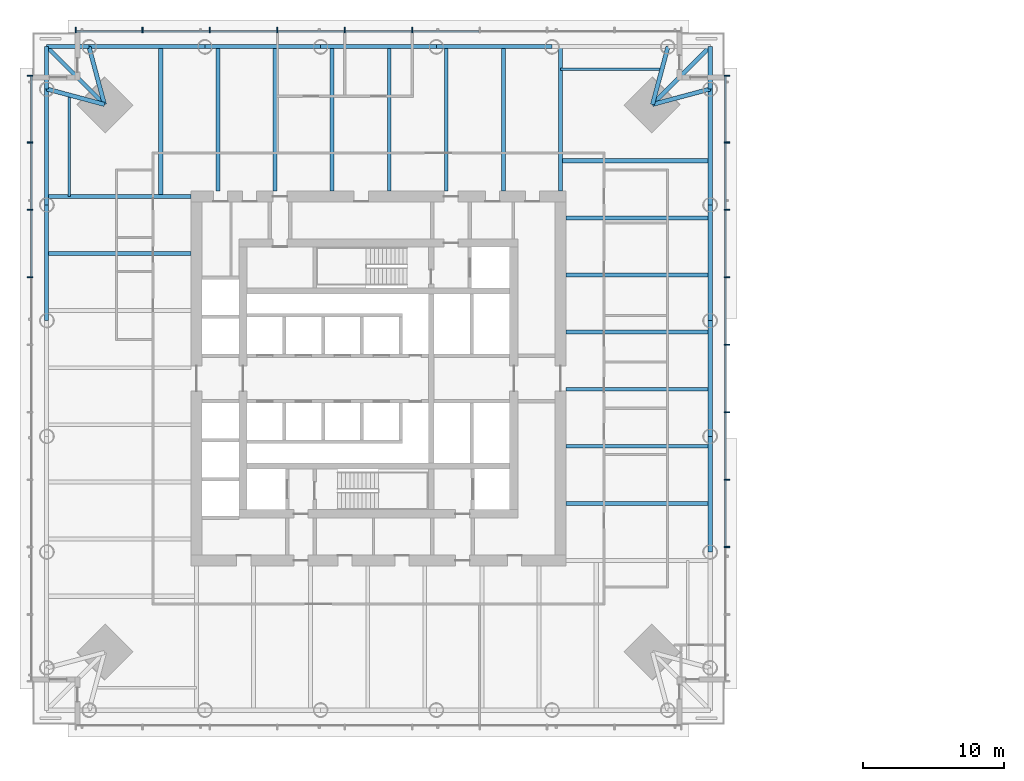
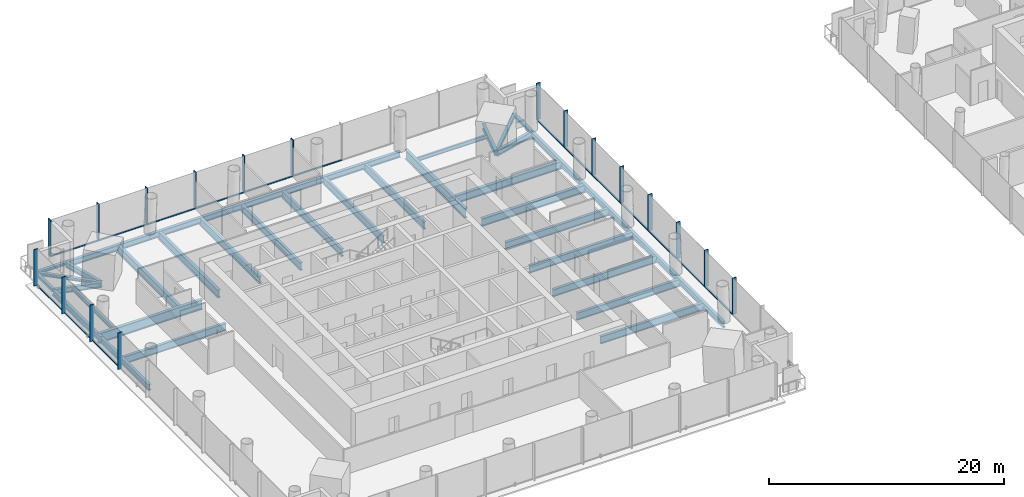
# One storey, part 3 of 26: 38 beams, 34 members, 3 elements without a shape of their own.
"""IFC4 building model written with IfcOpenShell, lengths in metres."""

import ifcopenshell
import ifcopenshell.guid

model = None  # the IFC model being written
_history = None  # IfcOwnerHistory: only IFC2X3 demands one
_inside = {}  # id of a spatial element -> (the spatial element, [elements in it])
_under = {}  # id of a project, library or spatial element -> (it, [spatial elements below it])
_declared = {}  # id of a project -> (the project, [libraries it declares])
_typed = {}  # id of a type object -> (the type object, [elements of that type])
_made_of = {}  # id of a material, layer set ... -> (it, [elements and type objects made of it])


def new_model(schema):
    """Start an empty IFC model of exactly this schema.

    Asked for "IFC4X3", IfcOpenShell would pick the latest addendum, in which some entities
    have other attributes; the version numbers below select the first issue.
    IFC2X3 requires an IfcOwnerHistory on every rooted entity: one is made here for all.
    """
    global model, _history
    if schema == "IFC4X3":
        model = ifcopenshell.file(schema_version=(4, 3, 0, 0))
    else:
        model = ifcopenshell.file(schema=schema)
    _inside.clear()
    _under.clear()
    _declared.clear()
    _typed.clear()
    _made_of.clear()
    _history = None
    if model.schema == "IFC2X3":
        org = make("IfcOrganization", Name="unknown")
        user = make(
            "IfcPersonAndOrganization",
            ThePerson=make("IfcPerson", FamilyName="unknown"),
            TheOrganization=org,
        )
        app = make(
            "IfcApplication",
            ApplicationDeveloper=org,
            Version="unknown",
            ApplicationFullName="unknown",
            ApplicationIdentifier="unknown",
        )
        _history = make(
            "IfcOwnerHistory",
            OwningUser=user,
            OwningApplication=app,
            ChangeAction="ADDED",
            CreationDate=0,
        )
    return model


def make(cls, **values):
    """One entity of the class cls with the attributes given. An attribute that is None is left unset."""
    return model.create_entity(
        cls, **{name: value for name, value in values.items() if value is not None}
    )


def rooted(cls, **values):
    """An entity with a GlobalId (a new one), such as an element, a storey or a relation."""
    return make(cls, GlobalId=ifcopenshell.guid.new(), OwnerHistory=_history, **values)


def si_unit(unit_type, name, prefix=None):
    """IfcSIUnit, for example si_unit("LENGTHUNIT", "METRE", prefix="MILLI")."""
    return make("IfcSIUnit", UnitType=unit_type, Prefix=prefix, Name=name)


def assignment(units):
    """IfcUnitAssignment: the units of a project."""
    return None if units is None else make("IfcUnitAssignment", Units=units)


def point(xyz):
    """IfcCartesianPoint."""
    return None if xyz is None else make("IfcCartesianPoint", Coordinates=xyz)


def direction(xyz):
    """IfcDirection."""
    return None if xyz is None else make("IfcDirection", DirectionRatios=xyz)


def frame(location, z_axis=None, x_axis=None):
    """IfcAxis2Placement3D, a coordinate frame: its origin and axes. An axis left out is left unset."""
    return make(
        "IfcAxis2Placement3D",
        Location=point(location),
        Axis=direction(z_axis),
        RefDirection=direction(x_axis),
    )


def frame_2d(location, x_axis=None):
    """IfcAxis2Placement2D, a coordinate frame in the plane: its origin and x axis."""
    return make(
        "IfcAxis2Placement2D", Location=point(location), RefDirection=direction(x_axis)
    )


def origin():
    """The frame at (0, 0, 0) with its axes left unset."""
    return frame((0.0, 0.0, 0.0))


def origin_2d():
    """The frame at (0, 0) in the plane with its x axis left unset."""
    return frame_2d((0.0, 0.0))


def place(relative_to, where):
    """IfcLocalPlacement: puts the frame where relative to a parent placement (None: the world)."""
    return make(
        "IfcLocalPlacement", PlacementRelTo=relative_to, RelativePlacement=where
    )


def context(
    kind, dimensions, precision=None, world=None, true_north=None, identifier=None
):
    """IfcGeometricRepresentationContext, for example the 3D "Model" context."""
    return make(
        "IfcGeometricRepresentationContext",
        ContextIdentifier=identifier,
        ContextType=kind,
        CoordinateSpaceDimension=dimensions,
        Precision=precision,
        WorldCoordinateSystem=world,
        TrueNorth=true_north,
    )


def subcontext(parent, identifier, kind, view, scale=None):
    """IfcGeometricRepresentationSubContext, for example "Body" below "Model"."""
    return make(
        "IfcGeometricRepresentationSubContext",
        ContextIdentifier=identifier,
        ContextType=kind,
        ParentContext=parent,
        TargetScale=scale,
        TargetView=view,
    )


def project(units=None, contexts=None):
    """IfcProject with its units and contexts."""
    return rooted(
        "IfcProject",
        Name="project",
        RepresentationContexts=contexts,
        UnitsInContext=assignment(units),
    )


def spatial(cls, under=None, at=None, **own):
    """A site, building, storey or space (cls), placed at a placement, below another one or the project."""
    s = rooted(cls, ObjectPlacement=at, **own)
    if under is not None:
        _under.setdefault(under.id(), (under, []))[1].append(s)
    return s


def profile(cls, at=None, kind="AREA", **sizes):
    """A parametric profile (cls). Its sizes go by their IFC names, for example OverallWidth=200.0."""
    return make(cls, ProfileType=kind, Position=at, **sizes)


def rectangle(**sizes):
    """IfcRectangleProfileDef."""
    return profile("IfcRectangleProfileDef", **sizes)


def i_section(**sizes):
    """IfcIShapeProfileDef."""
    return profile("IfcIShapeProfileDef", **sizes)


def extrude(swept, where, along, depth):
    """IfcExtrudedAreaSolid: the profile swept, set in the frame where, extruded along a direction by depth."""
    return make(
        "IfcExtrudedAreaSolid",
        SweptArea=swept,
        Position=where,
        ExtrudedDirection=direction(along),
        Depth=depth,
    )


def shape(context_of_items, identifier, shape_type, items):
    """IfcShapeRepresentation: the items that make up one representation, for example the "Body"."""
    return make(
        "IfcShapeRepresentation",
        ContextOfItems=context_of_items,
        RepresentationIdentifier=identifier,
        RepresentationType=shape_type,
        Items=items,
    )


def material(Name=None, Category=None):
    """IfcMaterial."""
    return make("IfcMaterial", Name=Name, Category=Category)


def material_profile(
    of_material, cross_section, Name=None, Category=None, Priority=None
):
    """IfcMaterialProfile: a cross section and its material."""
    return make(
        "IfcMaterialProfile",
        Name=Name,
        Material=of_material,
        Profile=cross_section,
        Priority=Priority,
        Category=Category,
    )


def profile_set(profiles, Name=None, composite=None):
    """IfcMaterialProfileSet."""
    return make(
        "IfcMaterialProfileSet",
        Name=Name,
        MaterialProfiles=profiles,
        CompositeProfile=composite,
    )


def made_of(thing, what):
    """Note that an element or type object is made of a material, layer set ...; save() writes the relation."""
    if what is not None:
        _made_of.setdefault(what.id(), (what, []))[1].append(thing)
    return thing


def type_object(cls, material=None, **own):
    """A type object (cls), such as IfcWallType, which elements share."""
    return made_of(rooted(cls, **own), material)


def element(
    cls,
    number,
    at=None,
    inside=None,
    cuts=None,
    type_object=None,
    material=None,
    context=None,
    identifier="Body",
    shape_type=None,
    held_by="IfcProductDefinitionShape",
    body=None,
    shapes=None,
    **own,
):
    """One element of the class cls, such as IfcWall. Its Tag is "e" and its number.

    at: its placement. inside: the storey or other place that contains it. cuts: it is an
    opening in that element (IfcRelVoidsElement). A single representation is given by context,
    identifier, shape_type and body (its items); several are given by shapes. held_by: the class
    of the entity that holds the representations. save() writes the other relations.
    """
    e = rooted(cls, Tag="e%d" % number, ObjectPlacement=at, **own)
    if body is not None:
        shapes = [shape(context, identifier, shape_type, body)]
    if shapes is not None:
        e.Representation = make(held_by, Representations=shapes)
    if inside is not None:
        _inside.setdefault(inside.id(), (inside, []))[1].append(e)
    if cuts is not None:
        rooted(
            "IfcRelVoidsElement", RelatingBuildingElement=cuts, RelatedOpeningElement=e
        )
    if type_object is not None:
        _typed.setdefault(type_object.id(), (type_object, []))[1].append(e)
    return made_of(e, material)


def aggregate(whole, parts):
    """IfcRelAggregates: a whole, such as a stair, and the parts it consists of."""
    return rooted("IfcRelAggregates", RelatingObject=whole, RelatedObjects=parts)


def save(model, path):
    """Write the relations noted so far, then the file.

    IfcRelAggregates (storeys below a building ...), IfcRelContainedInSpatialStructure (elements
    in a storey), IfcRelDefinesByType, IfcRelAssociatesMaterial and IfcRelDeclares: one each for
    every whole, place, type object, material and project.
    """
    for whole, parts in _under.values():
        aggregate(whole, parts)
    for where, things in _inside.values():
        rooted(
            "IfcRelContainedInSpatialStructure",
            RelatedElements=things,
            RelatingStructure=where,
        )
    for kind, things in _typed.values():
        rooted("IfcRelDefinesByType", RelatedObjects=things, RelatingType=kind)
    for what, things in _made_of.values():
        rooted("IfcRelAssociatesMaterial", RelatedObjects=things, RelatingMaterial=what)
    for by, libraries in _declared.values():
        rooted("IfcRelDeclares", RelatingContext=by, RelatedDefinitions=libraries)
    model.write(path)


model = new_model("IFC4")

# Units and contexts
model_context = context("Model", 3, precision=1e-05, world=origin(), true_north=direction((0.0, 1.0)))
body_context = subcontext(model_context, "Body", "Model", "MODEL_VIEW")
ifc_project = project(units=[si_unit("LENGTHUNIT", "METRE"), si_unit("AREAUNIT", "SQUARE_METRE"), si_unit("VOLUMEUNIT", "CUBIC_METRE"), si_unit("PLANEANGLEUNIT", "RADIAN"), si_unit("MASSUNIT", "GRAM", prefix="KILO")], contexts=[model_context])

# Site, building, storey
site_placement = place(None, origin())
site = spatial("IfcSite", under=ifc_project, at=site_placement, CompositionType="ELEMENT")
building_placement = place(site_placement, origin())
building = spatial("IfcBuilding", under=site, at=building_placement, Name="Ostroluk Exchange", CompositionType="ELEMENT")
storey_placement = place(building_placement, frame((0.0, 0.0, 36.199951171875)))
storey = spatial("IfcBuildingStorey", under=building, at=storey_placement, Name="L08", CompositionType="ELEMENT", Elevation=36.199951171875)

# Beams
ifc_material_1 = material(Name="Steel S355", Category="steel")
ifc_material_profile_1 = material_profile(ifc_material_1, i_section(OverallWidth=0.300048828125, OverallDepth=0.300048828125, WebThickness=0.010986328125, FlangeThickness=0.01904296875, FilletRadius=0.027099609375, at=origin_2d()), Name="HEB 300")
ifc_profile_set_1 = profile_set([ifc_material_profile_1], Name="Steel S355")
beam_type_1 = type_object("IfcBeamType", Name="Balcony beam HEB 300", PredefinedType="BEAM", material=ifc_profile_set_1)
beam_1_placement = place(storey_placement, frame((68.514404296875, 66.514404296875, -0.329833984375), z_axis=(0.0, 1.0, 0.0), x_axis=(-1.0, 0.0, 0.0)))
element("IfcBeam", 1, at=beam_1_placement, inside=storey, type_object=beam_type_1, Name="T1 east balcony beam a", PredefinedType="BEAM", context=body_context, shape_type="SweptSolid", body=[
    extrude(i_section(OverallWidth=0.300048828125, OverallDepth=0.300048828125, WebThickness=0.010986328125, FlangeThickness=0.01904296875, FilletRadius=0.027099609375, at=origin_2d()), origin(), (0.0, 0.0, 1.0), 3.0),
])
beam_2_placement = place(storey_placement, frame((64.414306640625, 65.414306640625, -0.329833984375), z_axis=(0.707106781187, 0.707106781187, 0.0), x_axis=(-0.707106781187, 0.707106781187, 0.0)))
element("IfcBeam", 2, at=beam_2_placement, inside=storey, type_object=beam_type_1, Name="T1 east balcony beam c", PredefinedType="BEAM", context=body_context, shape_type="SweptSolid", body=[
    extrude(i_section(OverallWidth=0.300048828125, OverallDepth=0.300048828125, WebThickness=0.010986328125, FlangeThickness=0.01904296875, FilletRadius=0.027099609375, at=origin_2d()), origin(), (0.0, 0.0, 1.0), 5.79833984375),
])
for number, where, z_axis, x_axis, name in (
    (3, (24.485595703125, 69.514404296875, -0.329833984375), (-1.0, 0.0, 0.0), (0.0, -1.0, 0.0), "T1 north balcony beam a"),
    (4, (21.485595703125, 66.514404296875, -0.329833984375), (0.0, 1.0, 0.0), (-1.0, 0.0, 0.0), "T1 north balcony beam b"),
):
    element("IfcBeam", number, at=place(storey_placement, frame(where, z_axis=z_axis, x_axis=x_axis)), inside=storey, type_object=beam_type_1, Name=name, PredefinedType="BEAM", context=body_context, shape_type="SweptSolid", body=[
        extrude(i_section(OverallWidth=0.300048828125, OverallDepth=0.300048828125, WebThickness=0.010986328125, FlangeThickness=0.01904296875, FilletRadius=0.027099609375, at=origin_2d()), origin(), (0.0, 0.0, 1.0), 3.0),
    ])
beam_3_placement = place(storey_placement, frame((25.585693359375, 65.414306640625, -0.329833984375), z_axis=(-0.707106781187, 0.707106781187, 0.0), x_axis=(-0.707106781187, -0.707106781187, 0.0)))
element("IfcBeam", 5, at=beam_3_placement, inside=storey, type_object=beam_type_1, Name="T1 north balcony beam c", PredefinedType="BEAM", context=body_context, shape_type="SweptSolid", body=[
    extrude(i_section(OverallWidth=0.300048828125, OverallDepth=0.300048828125, WebThickness=0.010986328125, FlangeThickness=0.01904296875, FilletRadius=0.027099609375, at=origin_2d()), origin(), (0.0, 0.0, 1.0), 5.79833984375),
])
ifc_material_2 = material(Name="Steel S355", Category="steel")
ifc_material_profile_2 = material_profile(ifc_material_2, i_section(OverallWidth=0.300048828125, OverallDepth=0.550048828125, WebThickness=0.014892578125, FlangeThickness=0.029052734375, FilletRadius=0.027099609375, at=origin_2d()), Name="HEB 550")
ifc_profile_set_2 = profile_set([ifc_material_profile_2], Name="Steel S355")
beam_type_2 = type_object("IfcBeamType", Name="Corner edge beam HEB 550", PredefinedType="SPANDREL", material=ifc_profile_set_2)
for number, where, z_axis, x_axis, name in (
    (6, (64.414306640625, 65.414306640625, -0.454833984375), (0.965838624319, 0.259144268261, 0.0), (-0.259144268261, 0.965838624319, 0.0), "T1 east corner edge beam a"),
    (7, (64.414306640625, 65.414306640625, -0.454833984375), (0.259144268261, 0.965838624319, 0.0), (-0.965838624319, 0.259144268261, 0.0), "T1 east corner edge beam b"),
    (8, (25.585693359375, 65.414306640625, -0.454833984375), (-0.259144268261, 0.965838624319, 0.0), (-0.965838624319, -0.259144268261, 0.0), "T1 north corner edge beam a"),
    (9, (25.585693359375, 65.414306640625, -0.454833984375), (-0.965838624319, 0.259144268261, 0.0), (-0.259144268261, -0.965838624319, 0.0), "T1 north corner edge beam b"),
):
    element("IfcBeam", number, at=place(storey_placement, frame(where, z_axis=z_axis, x_axis=x_axis)), inside=storey, type_object=beam_type_2, Name=name, PredefinedType="SPANDREL", context=body_context, shape_type="SweptSolid", body=[
        extrude(i_section(OverallWidth=0.300048828125, OverallDepth=0.550048828125, WebThickness=0.014892578125, FlangeThickness=0.029052734375, FilletRadius=0.027099609375, at=origin_2d()), origin(), (0.0, 0.0, 1.0), 4.2451171875),
    ])
ifc_material_3 = material(Name="Steel S355", Category="steel")
ifc_material_profile_3 = material_profile(ifc_material_3, i_section(OverallWidth=0.302978515625, OverallDepth=0.81396484375, WebThickness=0.02099609375, FlangeThickness=0.0400390625, FilletRadius=0.030029296875, at=origin_2d()), Name="HEM 800")
ifc_profile_set_3 = profile_set([ifc_material_profile_3], Name="Steel S355")
beam_type_3 = type_object("IfcBeamType", Name="Floor beam HEM 800", PredefinedType="BEAM", material=ifc_profile_set_3)
beam_4_placement = place(storey_placement, frame((58.300048828125, 57.376220703125, -0.5869140625), z_axis=(1.0, 0.0, 0.0), x_axis=(0.0, 1.0, 0.0)))
element("IfcBeam", 10, at=beam_4_placement, inside=storey, type_object=beam_type_3, Name="T1 east floor beam 6", PredefinedType="BEAM", context=body_context, shape_type="SweptSolid", body=[
    extrude(i_section(OverallWidth=0.302978515625, OverallDepth=0.81396484375, WebThickness=0.02099609375, FlangeThickness=0.0400390625, FilletRadius=0.030029296875, at=origin_2d()), origin(), (0.0, 0.0, 1.0), 10.21435546875),
])
beam_5_placement = place(storey_placement, frame((57.89990234375, 61.422119140625, -0.5869140625), z_axis=(1.0, 0.0, 0.0), x_axis=(0.0, 1.0, 0.0)))
element("IfcBeam", 11, at=beam_5_placement, inside=storey, type_object=beam_type_3, Name="T1 east floor beam 7", PredefinedType="BEAM", context=body_context, shape_type="SweptSolid", body=[
    extrude(i_section(OverallWidth=0.302978515625, OverallDepth=0.81396484375, WebThickness=0.02099609375, FlangeThickness=0.0400390625, FilletRadius=0.030029296875, at=origin_2d()), origin(), (0.0, 0.0, 1.0), 10.614501953125),
])
beam_6_placement = place(storey_placement, frame((33.623779296875, 59.300048828125, -0.5869140625), z_axis=(0.0, 1.0, 0.0), x_axis=(-1.0, 0.0, 0.0)))
element("IfcBeam", 12, at=beam_6_placement, inside=storey, type_object=beam_type_3, Name="T1 north floor beam 6", PredefinedType="BEAM", context=body_context, shape_type="SweptSolid", body=[
    extrude(i_section(OverallWidth=0.302978515625, OverallDepth=0.81396484375, WebThickness=0.02099609375, FlangeThickness=0.0400390625, FilletRadius=0.030029296875, at=origin_2d()), origin(), (0.0, 0.0, 1.0), 10.21435546875),
])
beam_7_placement = place(storey_placement, frame((29.577880859375, 58.89990234375, -0.5869140625), z_axis=(0.0, 1.0, 0.0), x_axis=(-1.0, 0.0, 0.0)))
element("IfcBeam", 13, at=beam_7_placement, inside=storey, type_object=beam_type_3, Name="T1 north floor beam 7", PredefinedType="BEAM", context=body_context, shape_type="SweptSolid", body=[
    extrude(i_section(OverallWidth=0.302978515625, OverallDepth=0.81396484375, WebThickness=0.02099609375, FlangeThickness=0.0400390625, FilletRadius=0.030029296875, at=origin_2d()), origin(), (0.0, 0.0, 1.0), 10.614501953125),
])
ifc_material_4 = material(Name="Steel S355", Category="steel")
ifc_material_profile_4 = material_profile(ifc_material_4, i_section(OverallWidth=0.179931640625, OverallDepth=0.39990234375, WebThickness=0.008544921875, FlangeThickness=0.013427734375, FilletRadius=0.02099609375, at=origin_2d()), Name="IPE 400")
ifc_profile_set_4 = profile_set([ifc_material_profile_4], Name="Steel S355")
beam_type_4 = type_object("IfcBeamType", Name="Floor beam IPE 400", PredefinedType="BEAM", material=ifc_profile_set_4)
for number, where, z_axis, x_axis, name in (
    (14, (57.89990234375, 67.914306640625, -0.3798828125), (1.0, 0.0, 0.0), (0.0, 1.0, 0.0), "T1 east floor beam 8"),
    (15, (23.085693359375, 58.89990234375, -0.3798828125), (0.0, 1.0, 0.0), (-1.0, 0.0, 0.0), "T1 north floor beam 8"),
):
    element("IfcBeam", number, at=place(storey_placement, frame(where, z_axis=z_axis, x_axis=x_axis)), inside=storey, type_object=beam_type_4, Name=name, PredefinedType="BEAM", context=body_context, shape_type="SweptSolid", body=[
        extrude(i_section(OverallWidth=0.179931640625, OverallDepth=0.39990234375, WebThickness=0.008544921875, FlangeThickness=0.013427734375, FilletRadius=0.02099609375, at=origin_2d()), origin(), (0.0, 0.0, 1.0), 7.18505859375),
    ])
ifc_material_5 = material(Name="Steel S355", Category="steel")
ifc_material_profile_5 = material_profile(ifc_material_5, i_section(OverallWidth=0.26806640625, OverallDepth=0.77001953125, WebThickness=0.015625, FlangeThickness=0.025390625, FilletRadius=0.01708984375, at=origin_2d()), Name="IPE 750x196")
ifc_profile_set_5 = profile_set([ifc_material_profile_5], Name="Steel S355")
beam_type_5 = type_object("IfcBeamType", Name="Floor beam IPE 750x196", PredefinedType="BEAM", material=ifc_profile_set_5)
for number, where, z_axis, x_axis, name in (
    (16, (58.300048828125, 37.14599609375, -0.56494140625), (1.0, 0.0, 0.0), (0.0, 1.0, 0.0), "T1 east floor beam 1"),
    (17, (58.300048828125, 41.192138671875, -0.56494140625), (1.0, 0.0, 0.0), (0.0, 1.0, 0.0), "T1 east floor beam 2"),
    (18, (58.300048828125, 45.238037109375, -0.56494140625), (1.0, 0.0, 0.0), (0.0, 1.0, 0.0), "T1 east floor beam 3"),
    (19, (58.300048828125, 49.2841796875, -0.56494140625), (1.0, 0.0, 0.0), (0.0, 1.0, 0.0), "T1 east floor beam 4"),
    (20, (58.300048828125, 53.330078125, -0.56494140625), (1.0, 0.0, 0.0), (0.0, 1.0, 0.0), "T1 east floor beam 5"),
    (21, (53.85400390625, 59.300048828125, -0.56494140625), (0.0, 1.0, 0.0), (-1.0, 0.0, 0.0), "T1 north floor beam 1"),
    (22, (49.807861328125, 59.300048828125, -0.56494140625), (0.0, 1.0, 0.0), (-1.0, 0.0, 0.0), "T1 north floor beam 2"),
    (23, (45.761962890625, 59.300048828125, -0.56494140625), (0.0, 1.0, 0.0), (-1.0, 0.0, 0.0), "T1 north floor beam 3"),
    (24, (41.7158203125, 59.300048828125, -0.56494140625), (0.0, 1.0, 0.0), (-1.0, 0.0, 0.0), "T1 north floor beam 4"),
    (25, (37.669921875, 59.300048828125, -0.56494140625), (0.0, 1.0, 0.0), (-1.0, 0.0, 0.0), "T1 north floor beam 5"),
    (26, (31.699951171875, 54.85400390625, -0.56494140625), (-1.0, 0.0, 0.0), (0.0, -1.0, 0.0), "T1 west floor beam 1"),
):
    element("IfcBeam", number, at=place(storey_placement, frame(where, z_axis=z_axis, x_axis=x_axis)), inside=storey, type_object=beam_type_5, Name=name, PredefinedType="BEAM", context=body_context, shape_type="SweptSolid", body=[
        extrude(i_section(OverallWidth=0.26806640625, OverallDepth=0.77001953125, WebThickness=0.015625, FlangeThickness=0.025390625, FilletRadius=0.01708984375, at=origin_2d()), origin(), (0.0, 0.0, 1.0), 10.21435546875),
    ])
ifc_material_6 = material(Name="Steel S355", Category="steel")
ifc_material_profile_6 = material_profile(ifc_material_6, i_section(OverallWidth=0.302001953125, OverallDepth=1.008056640625, WebThickness=0.02099609375, FlangeThickness=0.0400390625, FilletRadius=0.030029296875, at=origin_2d()), Name="HEM 1000")
ifc_profile_set_6 = profile_set([ifc_material_profile_6], Name="Steel S355")
beam_type_6 = type_object("IfcBeamType", Name="Girder HEM 1000", PredefinedType="BEAM", material=ifc_profile_set_6)
for number, where, z_axis, x_axis, name in (
    (27, (57.89990234375, 59.300048828125, -0.683837890625), (0.0, 1.0, 0.0), (-1.0, 0.0, 0.0), "T1 east girder"),
    (28, (31.699951171875, 58.89990234375, -0.683837890625), (-1.0, 0.0, 0.0), (0.0, -1.0, 0.0), "T1 north girder"),
):
    element("IfcBeam", number, at=place(storey_placement, frame(where, z_axis=z_axis, x_axis=x_axis)), inside=storey, type_object=beam_type_6, Name=name, PredefinedType="BEAM", context=body_context, shape_type="SweptSolid", body=[
        extrude(i_section(OverallWidth=0.302001953125, OverallDepth=1.008056640625, WebThickness=0.02099609375, FlangeThickness=0.0400390625, FilletRadius=0.030029296875, at=origin_2d()), origin(), (0.0, 0.0, 1.0), 10.21435546875),
    ])
ifc_material_7 = material(Name="Steel S355", Category="steel")
ifc_material_profile_7 = material_profile(ifc_material_7, i_section(OverallWidth=0.300048828125, OverallDepth=0.60009765625, WebThickness=0.015380859375, FlangeThickness=0.030029296875, FilletRadius=0.027099609375, at=origin_2d()), Name="HEB 600")
ifc_profile_set_7 = profile_set([ifc_material_profile_7], Name="Steel S355")
beam_type_7 = type_object("IfcBeamType", Name="Moment-connected edge beam HEB 600", PredefinedType="SPANDREL", material=ifc_profile_set_7)
beam_8_placement = place(storey_placement, frame((68.514404296875, 33.69140625, -0.47998046875), z_axis=(0.0, 1.0, 0.0), x_axis=(-1.0, 0.0, 0.0)))
element("IfcBeam", 29, at=beam_8_placement, inside=storey, type_object=beam_type_7, Name="T1 east edge beam 2", PredefinedType="SPANDREL", context=body_context, shape_type="SweptSolid", body=[
    extrude(i_section(OverallWidth=0.300048828125, OverallDepth=0.60009765625, WebThickness=0.015380859375, FlangeThickness=0.030029296875, FilletRadius=0.027099609375, at=origin_2d()), origin(), (0.0, 0.0, 1.0), 8.205810546875),
])
beam_9_placement = place(storey_placement, frame((68.514404296875, 41.897216796875, -0.47998046875), z_axis=(0.0, 1.0, 0.0), x_axis=(-1.0, 0.0, 0.0)))
element("IfcBeam", 30, at=beam_9_placement, inside=storey, type_object=beam_type_7, Name="T1 east edge beam 3", PredefinedType="SPANDREL", context=body_context, shape_type="SweptSolid", body=[
    extrude(i_section(OverallWidth=0.300048828125, OverallDepth=0.60009765625, WebThickness=0.015380859375, FlangeThickness=0.030029296875, FilletRadius=0.027099609375, at=origin_2d()), origin(), (0.0, 0.0, 1.0), 8.20556640625),
])
for number, where, z_axis, x_axis, name in (
    (31, (68.514404296875, 50.102783203125, -0.47998046875), (0.0, 1.0, 0.0), (-1.0, 0.0, 0.0), "T1 east edge beam 4"),
    (32, (68.514404296875, 58.30859375, -0.47998046875), (0.0, 1.0, 0.0), (-1.0, 0.0, 0.0), "T1 east edge beam 5"),
    (33, (57.30859375, 69.514404296875, -0.47998046875), (-1.0, 0.0, 0.0), (0.0, -1.0, 0.0), "T1 north edge beam 2"),
):
    element("IfcBeam", number, at=place(storey_placement, frame(where, z_axis=z_axis, x_axis=x_axis)), inside=storey, type_object=beam_type_7, Name=name, PredefinedType="SPANDREL", context=body_context, shape_type="SweptSolid", body=[
        extrude(i_section(OverallWidth=0.300048828125, OverallDepth=0.60009765625, WebThickness=0.015380859375, FlangeThickness=0.030029296875, FilletRadius=0.027099609375, at=origin_2d()), origin(), (0.0, 0.0, 1.0), 8.205810546875),
    ])
beam_10_placement = place(storey_placement, frame((49.102783203125, 69.514404296875, -0.47998046875), z_axis=(-1.0, 0.0, 0.0), x_axis=(0.0, -1.0, 0.0)))
element("IfcBeam", 34, at=beam_10_placement, inside=storey, type_object=beam_type_7, Name="T1 north edge beam 3", PredefinedType="SPANDREL", context=body_context, shape_type="SweptSolid", body=[
    extrude(i_section(OverallWidth=0.300048828125, OverallDepth=0.60009765625, WebThickness=0.015380859375, FlangeThickness=0.030029296875, FilletRadius=0.027099609375, at=origin_2d()), origin(), (0.0, 0.0, 1.0), 8.20556640625),
])
for number, where, z_axis, x_axis, name in (
    (35, (40.897216796875, 69.514404296875, -0.47998046875), (-1.0, 0.0, 0.0), (0.0, -1.0, 0.0), "T1 north edge beam 4"),
    (36, (32.69140625, 69.514404296875, -0.47998046875), (-1.0, 0.0, 0.0), (0.0, -1.0, 0.0), "T1 north edge beam 5"),
    (37, (21.485595703125, 66.514404296875, -0.47998046875), (0.0, -1.0, 0.0), (1.0, 0.0, 0.0), "T1 west edge beam 1"),
    (38, (21.485595703125, 58.30859375, -0.47998046875), (0.0, -1.0, 0.0), (1.0, 0.0, 0.0), "T1 west edge beam 2"),
):
    element("IfcBeam", number, at=place(storey_placement, frame(where, z_axis=z_axis, x_axis=x_axis)), inside=storey, type_object=beam_type_7, Name=name, PredefinedType="SPANDREL", context=body_context, shape_type="SweptSolid", body=[
        extrude(i_section(OverallWidth=0.300048828125, OverallDepth=0.60009765625, WebThickness=0.015380859375, FlangeThickness=0.030029296875, FilletRadius=0.027099609375, at=origin_2d()), origin(), (0.0, 0.0, 1.0), 8.205810546875),
    ])

# Curtain wall, members
ifc_material_8 = material(Name="Laminated clear glass", Category="glass")
curtain_wall_type = type_object("IfcCurtainWallType", Name="Office tower facade", PredefinedType="USERDEFINED", material=ifc_material_8)
curtain_wall_1_placement = place(storey_placement, origin())
curtain_wall_1 = element("IfcCurtainWall", 39, at=curtain_wall_1_placement, inside=storey, type_object=curtain_wall_type, Name="Office tower east facade L08", ObjectType="UNITISED CURTAIN WALL", PredefinedType="USERDEFINED")
ifc_material_9 = material(Name="Aluminium mullion", Category="aluminium")
ifc_material_profile_8 = material_profile(ifc_material_9, rectangle(XDim=0.14990234375, YDim=0.080078125, at=origin_2d()), Name="Sill transom 80 x 150")
ifc_profile_set_8 = profile_set([ifc_material_profile_8], Name="Aluminium mullion")
member_type_1 = type_object("IfcMemberType", Name="Sill transom 80 x 150", PredefinedType="USERDEFINED", material=ifc_profile_set_8)
member_1_placement = place(storey_placement, frame((69.574951171875, 34.095458984375, 0.0400390625), z_axis=(0.0, 1.0, 0.0), x_axis=(-1.0, 0.0, 0.0)))
member_1 = element("IfcMember", 40, at=member_1_placement, type_object=member_type_1, Name="CW-O1 transom 3.1", ObjectType="TRANSOM", PredefinedType="USERDEFINED", context=body_context, shape_type="SweptSolid", body=[
    extrude(rectangle(XDim=0.14990234375, YDim=0.080078125, at=origin_2d()), origin(), (0.0, 0.0, 1.0), 4.69775390625),
])
member_2_placement = place(storey_placement, frame((69.574951171875, 38.873291015625, 0.0400390625), z_axis=(0.0, 1.0, 0.0), x_axis=(-1.0, 0.0, 0.0)))
member_2 = element("IfcMember", 41, at=member_2_placement, type_object=member_type_1, Name="CW-O1 transom 4.1", ObjectType="TRANSOM", PredefinedType="USERDEFINED", context=body_context, shape_type="SweptSolid", body=[
    extrude(rectangle(XDim=0.14990234375, YDim=0.080078125, at=origin_2d()), origin(), (0.0, 0.0, 1.0), 4.69775390625),
])
member_3_placement = place(storey_placement, frame((69.574951171875, 43.651123046875, 0.0400390625), z_axis=(0.0, 1.0, 0.0), x_axis=(-1.0, 0.0, 0.0)))
member_3 = element("IfcMember", 42, at=member_3_placement, type_object=member_type_1, Name="CW-O1 transom 5.1", ObjectType="TRANSOM", PredefinedType="USERDEFINED", context=body_context, shape_type="SweptSolid", body=[
    extrude(rectangle(XDim=0.14990234375, YDim=0.080078125, at=origin_2d()), origin(), (0.0, 0.0, 1.0), 4.69775390625),
])
member_4_placement = place(storey_placement, frame((69.574951171875, 48.428955078125, 0.0400390625), z_axis=(0.0, 1.0, 0.0), x_axis=(-1.0, 0.0, 0.0)))
member_4 = element("IfcMember", 43, at=member_4_placement, type_object=member_type_1, Name="CW-O1 transom 6.1", ObjectType="TRANSOM", PredefinedType="USERDEFINED", context=body_context, shape_type="SweptSolid", body=[
    extrude(rectangle(XDim=0.14990234375, YDim=0.080078125, at=origin_2d()), origin(), (0.0, 0.0, 1.0), 4.69775390625),
])
member_5_placement = place(storey_placement, frame((69.574951171875, 53.206787109375, 0.0400390625), z_axis=(0.0, 1.0, 0.0), x_axis=(-1.0, 0.0, 0.0)))
member_5 = element("IfcMember", 44, at=member_5_placement, type_object=member_type_1, Name="CW-O1 transom 7.1", ObjectType="TRANSOM", PredefinedType="USERDEFINED", context=body_context, shape_type="SweptSolid", body=[
    extrude(rectangle(XDim=0.14990234375, YDim=0.080078125, at=origin_2d()), origin(), (0.0, 0.0, 1.0), 4.69775390625),
])
member_6_placement = place(storey_placement, frame((69.574951171875, 57.984375, 0.0400390625), z_axis=(0.0, 1.0, 0.0), x_axis=(-1.0, 0.0, 0.0)))
member_6 = element("IfcMember", 45, at=member_6_placement, type_object=member_type_1, Name="CW-O1 transom 8.1", ObjectType="TRANSOM", PredefinedType="USERDEFINED", context=body_context, shape_type="SweptSolid", body=[
    extrude(rectangle(XDim=0.14990234375, YDim=0.080078125, at=origin_2d()), origin(), (0.0, 0.0, 1.0), 4.69775390625),
])
member_7_placement = place(storey_placement, frame((69.574951171875, 62.76220703125, 0.0400390625), z_axis=(0.0, 1.0, 0.0), x_axis=(-1.0, 0.0, 0.0)))
member_7 = element("IfcMember", 46, at=member_7_placement, type_object=member_type_1, Name="CW-O1 transom 9.1", ObjectType="TRANSOM", PredefinedType="USERDEFINED", context=body_context, shape_type="SweptSolid", body=[
    extrude(rectangle(XDim=0.14990234375, YDim=0.080078125, at=origin_2d()), origin(), (0.0, 0.0, 1.0), 4.65771484375),
])

curtain_wall_2_placement = place(storey_placement, origin())
curtain_wall_2 = element("IfcCurtainWall", 47, at=curtain_wall_2_placement, inside=storey, type_object=curtain_wall_type, Name="Office tower north facade L08", ObjectType="UNITISED CURTAIN WALL", PredefinedType="USERDEFINED")
member_8_placement = place(storey_placement, frame((52.126708984375, 70.574951171875, 0.0400390625), z_axis=(-1.0, 0.0, 0.0), x_axis=(0.0, -1.0, 0.0)))
member_8 = element("IfcMember", 48, at=member_8_placement, type_object=member_type_1, Name="CW-O1 transom 4.1", ObjectType="TRANSOM", PredefinedType="USERDEFINED", context=body_context, shape_type="SweptSolid", body=[
    extrude(rectangle(XDim=0.14990234375, YDim=0.080078125, at=origin_2d()), origin(), (0.0, 0.0, 1.0), 4.69775390625),
])
member_9_placement = place(storey_placement, frame((47.348876953125, 70.574951171875, 0.0400390625), z_axis=(-1.0, 0.0, 0.0), x_axis=(0.0, -1.0, 0.0)))
member_9 = element("IfcMember", 49, at=member_9_placement, type_object=member_type_1, Name="CW-O1 transom 5.1", ObjectType="TRANSOM", PredefinedType="USERDEFINED", context=body_context, shape_type="SweptSolid", body=[
    extrude(rectangle(XDim=0.14990234375, YDim=0.080078125, at=origin_2d()), origin(), (0.0, 0.0, 1.0), 4.69775390625),
])
member_10_placement = place(storey_placement, frame((42.571044921875, 70.574951171875, 0.0400390625), z_axis=(-1.0, 0.0, 0.0), x_axis=(0.0, -1.0, 0.0)))
member_10 = element("IfcMember", 50, at=member_10_placement, type_object=member_type_1, Name="CW-O1 transom 6.1", ObjectType="TRANSOM", PredefinedType="USERDEFINED", context=body_context, shape_type="SweptSolid", body=[
    extrude(rectangle(XDim=0.14990234375, YDim=0.080078125, at=origin_2d()), origin(), (0.0, 0.0, 1.0), 4.69775390625),
])
member_11_placement = place(storey_placement, frame((37.793212890625, 70.574951171875, 0.0400390625), z_axis=(-1.0, 0.0, 0.0), x_axis=(0.0, -1.0, 0.0)))
member_11 = element("IfcMember", 51, at=member_11_placement, type_object=member_type_1, Name="CW-O1 transom 7.1", ObjectType="TRANSOM", PredefinedType="USERDEFINED", context=body_context, shape_type="SweptSolid", body=[
    extrude(rectangle(XDim=0.14990234375, YDim=0.080078125, at=origin_2d()), origin(), (0.0, 0.0, 1.0), 4.69775390625),
])
member_12_placement = place(storey_placement, frame((33.015625, 70.574951171875, 0.0400390625), z_axis=(-1.0, 0.0, 0.0), x_axis=(0.0, -1.0, 0.0)))
member_12 = element("IfcMember", 52, at=member_12_placement, type_object=member_type_1, Name="CW-O1 transom 8.1", ObjectType="TRANSOM", PredefinedType="USERDEFINED", context=body_context, shape_type="SweptSolid", body=[
    extrude(rectangle(XDim=0.14990234375, YDim=0.080078125, at=origin_2d()), origin(), (0.0, 0.0, 1.0), 4.69775390625),
])
member_13_placement = place(storey_placement, frame((28.23779296875, 70.574951171875, 0.0400390625), z_axis=(-1.0, 0.0, 0.0), x_axis=(0.0, -1.0, 0.0)))
member_13 = element("IfcMember", 53, at=member_13_placement, type_object=member_type_1, Name="CW-O1 transom 9.1", ObjectType="TRANSOM", PredefinedType="USERDEFINED", context=body_context, shape_type="SweptSolid", body=[
    extrude(rectangle(XDim=0.14990234375, YDim=0.080078125, at=origin_2d()), origin(), (0.0, 0.0, 1.0), 4.65771484375),
])

curtain_wall_3_placement = place(storey_placement, origin())
curtain_wall_3 = element("IfcCurtainWall", 54, at=curtain_wall_3_placement, inside=storey, type_object=curtain_wall_type, Name="Office tower west facade L08", ObjectType="UNITISED CURTAIN WALL", PredefinedType="USERDEFINED")
member_14_placement = place(storey_placement, frame((20.425048828125, 67.419921875, 0.0400390625), z_axis=(0.0, -1.0, 0.0), x_axis=(1.0, 0.0, 0.0)))
member_14 = element("IfcMember", 55, at=member_14_placement, type_object=member_type_1, Name="CW-O1 transom 1.1", ObjectType="TRANSOM", PredefinedType="USERDEFINED", context=body_context, shape_type="SweptSolid", body=[
    extrude(rectangle(XDim=0.14990234375, YDim=0.080078125, at=origin_2d()), origin(), (0.0, 0.0, 1.0), 4.65771484375),
])
member_15_placement = place(storey_placement, frame((20.425048828125, 62.68212890625, 0.0400390625), z_axis=(0.0, -1.0, 0.0), x_axis=(1.0, 0.0, 0.0)))
member_15 = element("IfcMember", 56, at=member_15_placement, type_object=member_type_1, Name="CW-O1 transom 2.1", ObjectType="TRANSOM", PredefinedType="USERDEFINED", context=body_context, shape_type="SweptSolid", body=[
    extrude(rectangle(XDim=0.14990234375, YDim=0.080078125, at=origin_2d()), origin(), (0.0, 0.0, 1.0), 4.69775390625),
])
member_16_placement = place(storey_placement, frame((20.425048828125, 57.904541015625, 0.0400390625), z_axis=(0.0, -1.0, 0.0), x_axis=(1.0, 0.0, 0.0)))
member_16 = element("IfcMember", 57, at=member_16_placement, type_object=member_type_1, Name="CW-O1 transom 3.1", ObjectType="TRANSOM", PredefinedType="USERDEFINED", context=body_context, shape_type="SweptSolid", body=[
    extrude(rectangle(XDim=0.14990234375, YDim=0.080078125, at=origin_2d()), origin(), (0.0, 0.0, 1.0), 4.69775390625),
])

# Member
ifc_material_10 = material(Name="Aluminium mullion with limestone facing", Category="masonry")
ifc_material_profile_9 = material_profile(ifc_material_10, rectangle(XDim=0.39990234375, YDim=0.080078125, at=origin_2d()), Name="Tracery mullion 80 x 400")
ifc_profile_set_9 = profile_set([ifc_material_profile_9], Name="Aluminium mullion with limestone facing")
member_type_2 = type_object("IfcMemberType", Name="Tracery mullion 80 x 400", PredefinedType="MULLION", material=ifc_profile_set_9)
member_17_placement = place(storey_placement, frame((69.699951171875, 34.0556640625, 0.0), z_axis=(0.0, 0.0, 1.0), x_axis=(-1.0, 0.0, 0.0)))
member_17 = element("IfcMember", 58, at=member_17_placement, type_object=member_type_2, Name="CW-O1 mullion 3", PredefinedType="MULLION", context=body_context, shape_type="SweptSolid", body=[
    extrude(rectangle(XDim=0.39990234375, YDim=0.080078125, at=origin_2d()), origin(), (0.0, 0.0, 1.0), 3.800048828125),
])

member_18_placement = place(storey_placement, frame((69.699951171875, 38.833251953125, 0.0), z_axis=(0.0, 0.0, 1.0), x_axis=(-1.0, 0.0, 0.0)))
member_18 = element("IfcMember", 59, at=member_18_placement, type_object=member_type_2, Name="CW-O1 mullion 4", PredefinedType="MULLION", context=body_context, shape_type="SweptSolid", body=[
    extrude(rectangle(XDim=0.39990234375, YDim=0.080078125, at=origin_2d()), origin(), (0.0, 0.0, 1.0), 3.800048828125),
])

member_19_placement = place(storey_placement, frame((69.699951171875, 43.611083984375, 0.0), z_axis=(0.0, 0.0, 1.0), x_axis=(-1.0, 0.0, 0.0)))
member_19 = element("IfcMember", 60, at=member_19_placement, type_object=member_type_2, Name="CW-O1 mullion 5", PredefinedType="MULLION", context=body_context, shape_type="SweptSolid", body=[
    extrude(rectangle(XDim=0.39990234375, YDim=0.080078125, at=origin_2d()), origin(), (0.0, 0.0, 1.0), 3.800048828125),
])

member_20_placement = place(storey_placement, frame((69.699951171875, 48.388916015625, 0.0), z_axis=(0.0, 0.0, 1.0), x_axis=(-1.0, 0.0, 0.0)))
member_20 = element("IfcMember", 61, at=member_20_placement, type_object=member_type_2, Name="CW-O1 mullion 6", PredefinedType="MULLION", context=body_context, shape_type="SweptSolid", body=[
    extrude(rectangle(XDim=0.39990234375, YDim=0.080078125, at=origin_2d()), origin(), (0.0, 0.0, 1.0), 3.800048828125),
])

member_21_placement = place(storey_placement, frame((69.699951171875, 53.166748046875, 0.0), z_axis=(0.0, 0.0, 1.0), x_axis=(-1.0, 0.0, 0.0)))
member_21 = element("IfcMember", 62, at=member_21_placement, type_object=member_type_2, Name="CW-O1 mullion 7", PredefinedType="MULLION", context=body_context, shape_type="SweptSolid", body=[
    extrude(rectangle(XDim=0.39990234375, YDim=0.080078125, at=origin_2d()), origin(), (0.0, 0.0, 1.0), 3.800048828125),
])

member_22_placement = place(storey_placement, frame((69.699951171875, 57.9443359375, 0.0), z_axis=(0.0, 0.0, 1.0), x_axis=(-1.0, 0.0, 0.0)))
member_22 = element("IfcMember", 63, at=member_22_placement, type_object=member_type_2, Name="CW-O1 mullion 8", PredefinedType="MULLION", context=body_context, shape_type="SweptSolid", body=[
    extrude(rectangle(XDim=0.39990234375, YDim=0.080078125, at=origin_2d()), origin(), (0.0, 0.0, 1.0), 3.800048828125),
])

member_23_placement = place(storey_placement, frame((69.699951171875, 62.72216796875, 0.0), z_axis=(0.0, 0.0, 1.0), x_axis=(-1.0, 0.0, 0.0)))
member_23 = element("IfcMember", 64, at=member_23_placement, type_object=member_type_2, Name="CW-O1 mullion 9", PredefinedType="MULLION", context=body_context, shape_type="SweptSolid", body=[
    extrude(rectangle(XDim=0.39990234375, YDim=0.080078125, at=origin_2d()), origin(), (0.0, 0.0, 1.0), 3.800048828125),
])

member_24_placement = place(storey_placement, frame((69.699951171875, 67.4599609375, 0.0), z_axis=(0.0, 0.0, 1.0), x_axis=(-1.0, 0.0, 0.0)))
member_24 = element("IfcMember", 65, at=member_24_placement, type_object=member_type_2, Name="CW-O1 mullion 10", PredefinedType="MULLION", context=body_context, shape_type="SweptSolid", body=[
    extrude(rectangle(XDim=0.39990234375, YDim=0.080078125, at=origin_2d()), origin(), (0.0, 0.0, 1.0), 3.800048828125),
])

aggregate(curtain_wall_1, [member_17, member_18, member_19, member_20, member_21, member_22, member_23, member_24, member_1, member_2, member_3, member_4, member_5, member_6, member_7])

member_25_placement = place(storey_placement, frame((47.388916015625, 70.699951171875, 0.0), z_axis=(0.0, 0.0, 1.0), x_axis=(0.0, -1.0, 0.0)))
member_25 = element("IfcMember", 66, at=member_25_placement, type_object=member_type_2, Name="CW-O1 mullion 5", PredefinedType="MULLION", context=body_context, shape_type="SweptSolid", body=[
    extrude(rectangle(XDim=0.39990234375, YDim=0.080078125, at=origin_2d()), origin(), (0.0, 0.0, 1.0), 3.800048828125),
])

member_26_placement = place(storey_placement, frame((42.611083984375, 70.699951171875, 0.0), z_axis=(0.0, 0.0, 1.0), x_axis=(0.0, -1.0, 0.0)))
member_26 = element("IfcMember", 67, at=member_26_placement, type_object=member_type_2, Name="CW-O1 mullion 6", PredefinedType="MULLION", context=body_context, shape_type="SweptSolid", body=[
    extrude(rectangle(XDim=0.39990234375, YDim=0.080078125, at=origin_2d()), origin(), (0.0, 0.0, 1.0), 3.800048828125),
])

member_27_placement = place(storey_placement, frame((37.833251953125, 70.699951171875, 0.0), z_axis=(0.0, 0.0, 1.0), x_axis=(0.0, -1.0, 0.0)))
member_27 = element("IfcMember", 68, at=member_27_placement, type_object=member_type_2, Name="CW-O1 mullion 7", PredefinedType="MULLION", context=body_context, shape_type="SweptSolid", body=[
    extrude(rectangle(XDim=0.39990234375, YDim=0.080078125, at=origin_2d()), origin(), (0.0, 0.0, 1.0), 3.800048828125),
])

member_28_placement = place(storey_placement, frame((33.0556640625, 70.699951171875, 0.0), z_axis=(0.0, 0.0, 1.0), x_axis=(0.0, -1.0, 0.0)))
member_28 = element("IfcMember", 69, at=member_28_placement, type_object=member_type_2, Name="CW-O1 mullion 8", PredefinedType="MULLION", context=body_context, shape_type="SweptSolid", body=[
    extrude(rectangle(XDim=0.39990234375, YDim=0.080078125, at=origin_2d()), origin(), (0.0, 0.0, 1.0), 3.800048828125),
])

member_29_placement = place(storey_placement, frame((28.27783203125, 70.699951171875, 0.0), z_axis=(0.0, 0.0, 1.0), x_axis=(0.0, -1.0, 0.0)))
member_29 = element("IfcMember", 70, at=member_29_placement, type_object=member_type_2, Name="CW-O1 mullion 9", PredefinedType="MULLION", context=body_context, shape_type="SweptSolid", body=[
    extrude(rectangle(XDim=0.39990234375, YDim=0.080078125, at=origin_2d()), origin(), (0.0, 0.0, 1.0), 3.800048828125),
])

member_30_placement = place(storey_placement, frame((23.5400390625, 70.699951171875, 0.0), z_axis=(0.0, 0.0, 1.0), x_axis=(0.0, -1.0, 0.0)))
member_30 = element("IfcMember", 71, at=member_30_placement, type_object=member_type_2, Name="CW-O1 mullion 10", PredefinedType="MULLION", context=body_context, shape_type="SweptSolid", body=[
    extrude(rectangle(XDim=0.39990234375, YDim=0.080078125, at=origin_2d()), origin(), (0.0, 0.0, 1.0), 3.800048828125),
])

aggregate(curtain_wall_2, [member_25, member_26, member_27, member_28, member_29, member_30, member_8, member_9, member_10, member_11, member_12, member_13])

member_31_placement = place(storey_placement, frame((20.300048828125, 67.4599609375, 0.0), z_axis=(0.0, 0.0, 1.0), x_axis=(1.0, 0.0, 0.0)))
member_31 = element("IfcMember", 72, at=member_31_placement, type_object=member_type_2, Name="CW-O1 mullion 1", PredefinedType="MULLION", context=body_context, shape_type="SweptSolid", body=[
    extrude(rectangle(XDim=0.39990234375, YDim=0.080078125, at=origin_2d()), origin(), (0.0, 0.0, 1.0), 3.800048828125),
])

member_32_placement = place(storey_placement, frame((20.300048828125, 62.72216796875, 0.0), z_axis=(0.0, 0.0, 1.0), x_axis=(1.0, 0.0, 0.0)))
member_32 = element("IfcMember", 73, at=member_32_placement, type_object=member_type_2, Name="CW-O1 mullion 2", PredefinedType="MULLION", context=body_context, shape_type="SweptSolid", body=[
    extrude(rectangle(XDim=0.39990234375, YDim=0.080078125, at=origin_2d()), origin(), (0.0, 0.0, 1.0), 3.800048828125),
])

member_33_placement = place(storey_placement, frame((20.300048828125, 57.9443359375, 0.0), z_axis=(0.0, 0.0, 1.0), x_axis=(1.0, 0.0, 0.0)))
member_33 = element("IfcMember", 74, at=member_33_placement, type_object=member_type_2, Name="CW-O1 mullion 3", PredefinedType="MULLION", context=body_context, shape_type="SweptSolid", body=[
    extrude(rectangle(XDim=0.39990234375, YDim=0.080078125, at=origin_2d()), origin(), (0.0, 0.0, 1.0), 3.800048828125),
])

member_34_placement = place(storey_placement, frame((20.300048828125, 53.166748046875, 0.0), z_axis=(0.0, 0.0, 1.0), x_axis=(1.0, 0.0, 0.0)))
member_34 = element("IfcMember", 75, at=member_34_placement, type_object=member_type_2, Name="CW-O1 mullion 4", PredefinedType="MULLION", context=body_context, shape_type="SweptSolid", body=[
    extrude(rectangle(XDim=0.39990234375, YDim=0.080078125, at=origin_2d()), origin(), (0.0, 0.0, 1.0), 3.800048828125),
])

aggregate(curtain_wall_3, [member_31, member_32, member_33, member_34, member_14, member_15, member_16])

save(model, "model.ifc")
